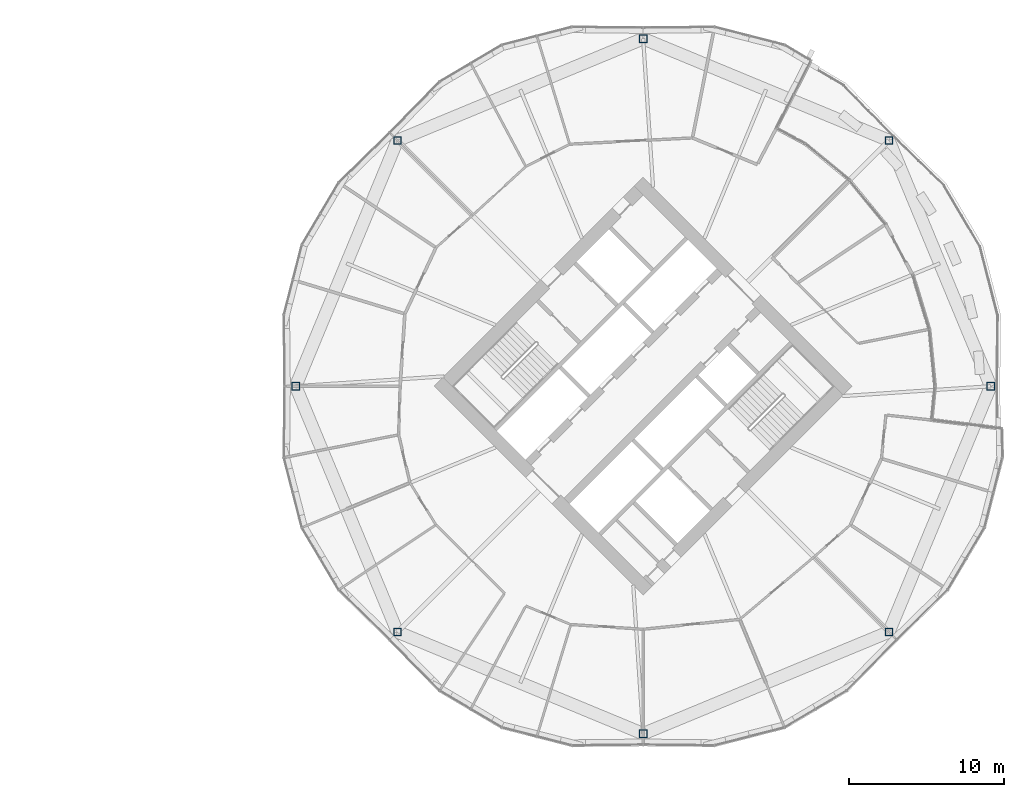
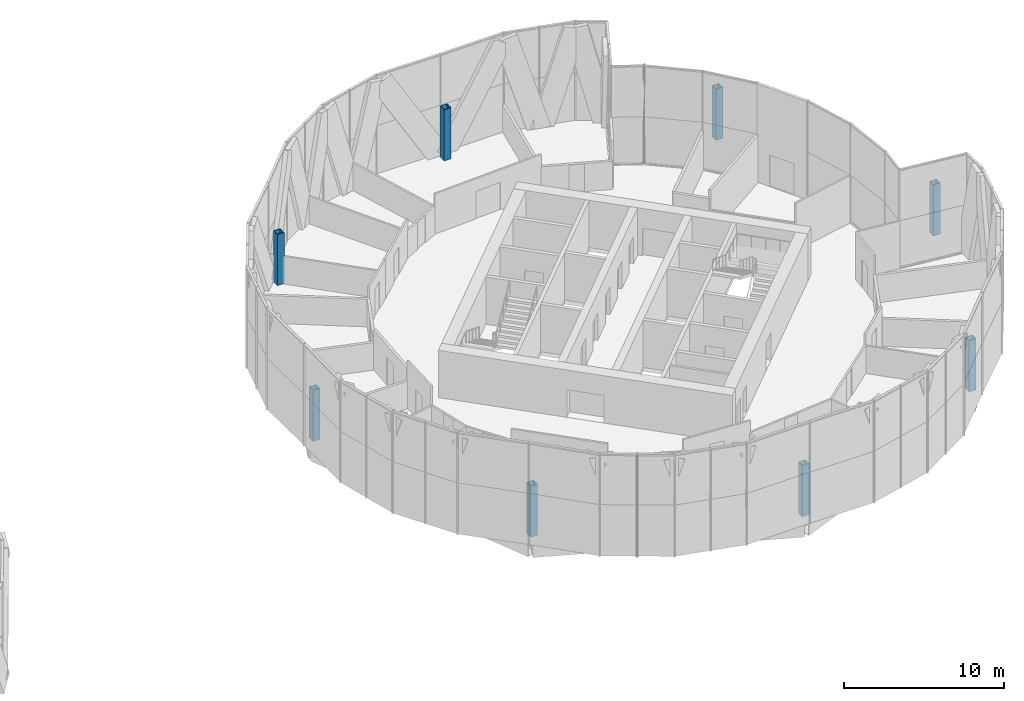
# One storey, part 2 of 27: 8 columns.
"""IFC4 building model written with IfcOpenShell, lengths in metres."""

from ifc_helpers import new_model, si_unit, direction, frame, origin, origin_2d, place, context, subcontext, project, spatial, hollow_rectangle, extrude, material, material_profile, profile_set, type_object, element, save


model = new_model("IFC4")

# Units and contexts
model_context = context("Model", 3, precision=1e-05, world=origin(), true_north=direction((0.0, 1.0)))
body_context = subcontext(model_context, "Body", "Model", "MODEL_VIEW")
ifc_project = project(units=[si_unit("LENGTHUNIT", "METRE"), si_unit("AREAUNIT", "SQUARE_METRE"), si_unit("VOLUMEUNIT", "CUBIC_METRE"), si_unit("PLANEANGLEUNIT", "RADIAN"), si_unit("MASSUNIT", "GRAM", prefix="KILO")], contexts=[model_context])

# Site, building, storey
site_placement = place(None, origin())
site = spatial("IfcSite", under=ifc_project, at=site_placement, CompositionType="ELEMENT")
building_placement = place(site_placement, origin())
building = spatial("IfcBuilding", under=site, at=building_placement, Name="Ogive Gate Towers", CompositionType="ELEMENT")
storey_placement = place(building_placement, frame((0.0, 0.0, 123.0)))
storey = spatial("IfcBuildingStorey", under=building, at=storey_placement, Name="L29", CompositionType="ELEMENT", Elevation=123.0)

# Columns
ifc_material = material(Name="Steel SM460", Category="steel")
ifc_material_profile = material_profile(ifc_material, hollow_rectangle(XDim=0.5, YDim=0.5, WallThickness=0.030029296875, at=origin_2d()), Name="BX 500x500x30")
ifc_profile_set = profile_set([ifc_material_profile], Name="Steel SM460")
column_type = type_object("IfcColumnType", Name="Perimeter post BX 500x500x30", PredefinedType="COLUMN", material=ifc_profile_set)
for number, where, z_axis, x_axis, name in (
    (1, (58.35009765625, 0.0, 0.0), (0.0, 0.0, 1.0), (1.0, 0.0, 0.0), "T2/L29/SCL001"),
    (2, (51.803955078125, 15.803955078125, 0.0), (0.0, 0.0, 1.0), (1.0, 0.0, 0.0), "T2/L29/SCL002"),
    (3, (36.0, 22.35009765625, 0.0), (0.0, 0.0, 1.0), (1.0, 0.0, 0.0), "T2/L29/SCL003"),
    (4, (20.196044921875, 15.803955078125, 0.0), (0.0, 0.0, 1.0), (1.0, 0.0, 0.0), "T2/L29/SCL004"),
    (5, (13.64990234375, 0.0, 0.0), (0.0, 0.0, 1.0), (1.0, 0.0, 0.0), "T2/L29/SCL005"),
    (6, (20.196044921875, -15.803955078125, 0.0), (0.0, 0.0, 1.0), (1.0, 0.0, 0.0), "T2/L29/SCL006"),
    (7, (36.0, -22.35009765625, 0.0), (0.0, 0.0, 1.0), (1.0, 0.0, 0.0), "T2/L29/SCL007"),
    (8, (51.803955078125, -15.803955078125, 0.0), (0.0, 0.0, 1.0), (1.0, 0.0, 0.0), "T2/L29/SCL008"),
):
    element("IfcColumn", number, at=place(storey_placement, frame(where, z_axis=z_axis, x_axis=x_axis)), inside=storey, type_object=column_type, Name=name, PredefinedType="COLUMN", context=body_context, shape_type="SweptSolid", body=[
        extrude(hollow_rectangle(XDim=0.5, YDim=0.5, WallThickness=0.030029296875, at=origin_2d()), origin(), (0.0, 0.0, 1.0), 3.89990234375),
    ])

save(model, "model.ifc")
